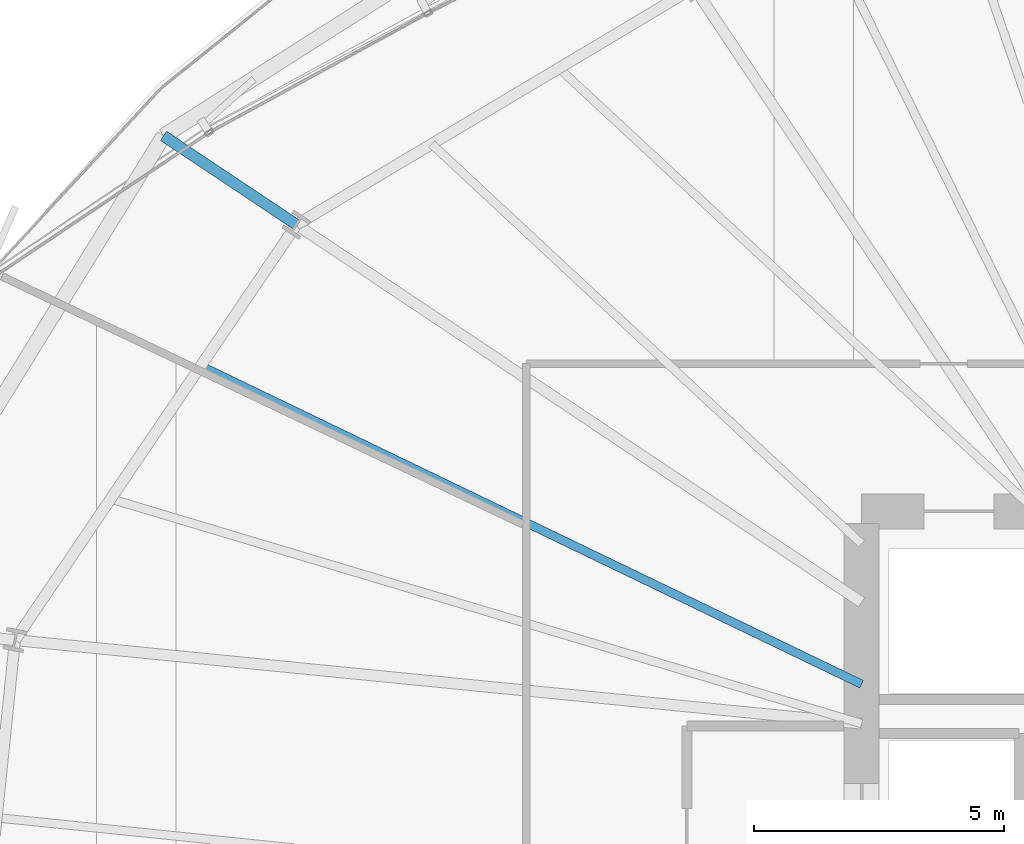
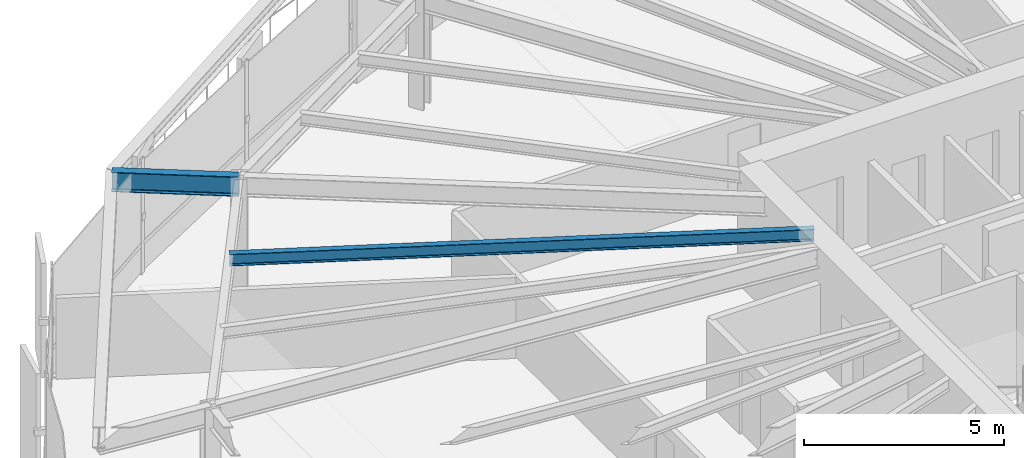
# One storey, part 18 of 38: 2 beams.
"""IFC4 building model written with IfcOpenShell, lengths in metres."""

from ifc_helpers import new_model, si_unit, direction, frame, origin, origin_2d, place, context, subcontext, project, spatial, i_section, extrude, source, transform, mapped, material, material_profile, profile_set, type_object, element, save


model = new_model("IFC4")

# Units and contexts
model_context = context("Model", 3, precision=1e-05, world=origin(), true_north=direction((0.0, 1.0)))
body_context = subcontext(model_context, "Body", "Model", "MODEL_VIEW")
ifc_project = project(units=[si_unit("LENGTHUNIT", "METRE"), si_unit("AREAUNIT", "SQUARE_METRE"), si_unit("VOLUMEUNIT", "CUBIC_METRE"), si_unit("PLANEANGLEUNIT", "RADIAN"), si_unit("MASSUNIT", "GRAM", prefix="KILO"), si_unit("THERMODYNAMICTEMPERATUREUNIT", "KELVIN")], contexts=[model_context])

# Site, building, storey
site_placement = place(None, origin())
site = spatial("IfcSite", under=ifc_project, at=site_placement, CompositionType="ELEMENT")
building_placement = place(site_placement, origin())
building = spatial("IfcBuilding", under=site, at=building_placement, Name="Kethvar Cultural Tower", CompositionType="ELEMENT")
storey_placement = place(building_placement, frame((0.0, 0.0, 67.60009765625)))
storey = spatial("IfcBuildingStorey", under=building, at=storey_placement, Name="L16", CompositionType="ELEMENT", Elevation=67.60009765625)

# Beams
ifc_material = material(Name="Steel S355J2", Category="steel")
ifc_material_profile_1 = material_profile(ifc_material, i_section(OverallWidth=0.219970703125, OverallDepth=0.60009765625, WebThickness=0.011962890625, FlangeThickness=0.01904296875, FilletRadius=0.02392578125, at=origin_2d()), Name="Steel S355J2 — IPE600")
ifc_profile_set_1 = profile_set([ifc_material_profile_1], Name="Steel S355J2 — IPE600")
beam_type_1 = type_object("IfcBeamType", Name="BM-IPE600", PredefinedType="BEAM", material=ifc_profile_set_1)
shared_shape_1 = source(origin(), body_context, "Body", "SweptSolid", [
    extrude(i_section(OverallWidth=0.219970703125, OverallDepth=0.60009765625, WebThickness=0.011962890625, FlangeThickness=0.01904296875, FilletRadius=0.02392578125, at=origin_2d()), origin(), (0.0, 0.0, 1.0), 3.199951171875),
])
beam_1_placement = place(storey_placement, frame((26.6845703125, 41.24072265625, 3.247802734375), z_axis=(-0.831462943996, 0.555580212716, 0.0), x_axis=(-0.555580212716, -0.831462943996, 0.0)))
element("IfcBeam", 1, at=beam_1_placement, inside=storey, type_object=beam_type_1, Name="L16 Perimeter Cantilever Beam RC-07", PredefinedType="BEAM", context=body_context, shape_type="MappedRepresentation", body=[
    mapped(shared_shape_1, transform((0.0, 0.0, 0.0), scale=1.0)),
])
ifc_material_profile_2 = material_profile(ifc_material, i_section(OverallWidth=0.169921875, OverallDepth=0.360107421875, WebThickness=0.008056640625, FlangeThickness=0.0126953125, FilletRadius=0.01806640625, at=origin_2d()), Name="Steel S355J2 — IPE360")
ifc_profile_set_2 = profile_set([ifc_material_profile_2], Name="Steel S355J2 — IPE360")
beam_type_2 = type_object("IfcBeamType", Name="BM-J360", PredefinedType="JOIST", material=ifc_profile_set_2)
shared_shape_2 = source(origin(), body_context, "Body", "SweptSolid", [
    extrude(i_section(OverallWidth=0.169921875, OverallDepth=0.360107421875, WebThickness=0.008056640625, FlangeThickness=0.0126953125, FilletRadius=0.01806640625, at=origin_2d()), origin(), (0.0, 0.0, 1.0), 14.687255859375),
])
beam_2_placement = place(storey_placement, frame((38.0, 32.038818359375, 3.367919921875), z_axis=(-0.900928984091, 0.433966548971, 0.0), x_axis=(-0.433966548971, -0.900928984091, 0.0)))
element("IfcBeam", 2, at=beam_2_placement, inside=storey, type_object=beam_type_2, Name="L16 Composite Floor Joist J-07A", PredefinedType="JOIST", context=body_context, shape_type="MappedRepresentation", body=[
    mapped(shared_shape_2, transform((0.0, 0.0, 0.0), scale=1.0)),
])

save(model, "model.ifc")
